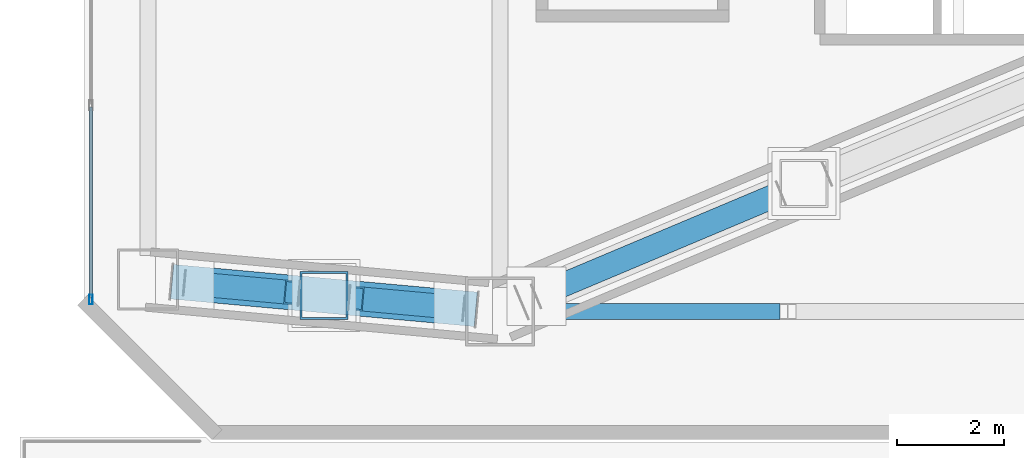
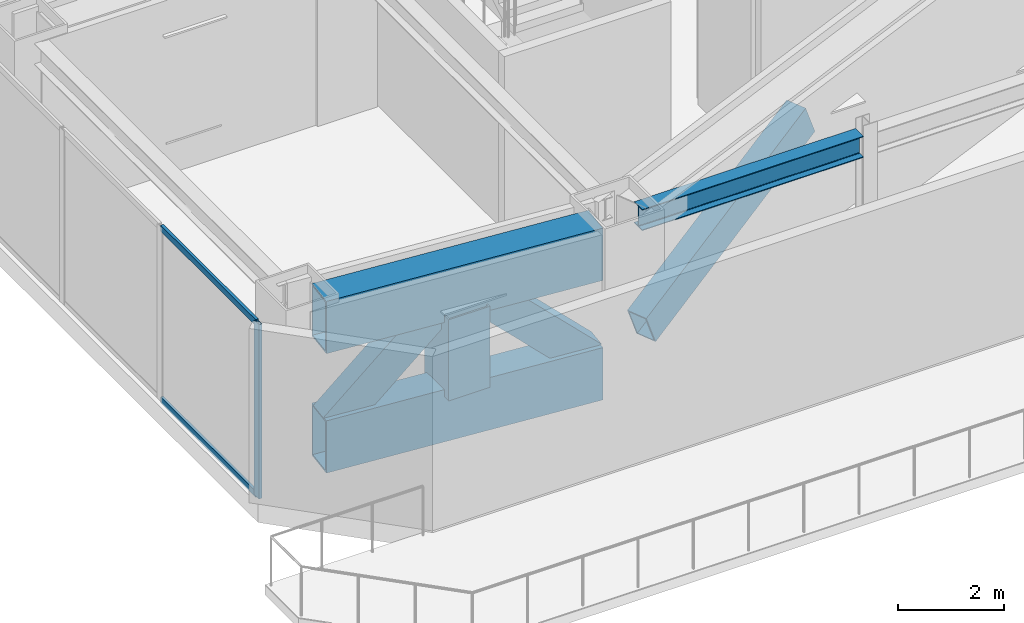
# One storey, part 4 of 39: 7 members, 3 beams, 1 element without a shape of its own.
"""IFC4 building model written with IfcOpenShell, lengths in metres."""

from ifc_helpers import new_model, si_unit, direction, frame, origin, origin_2d, place, context, subcontext, project, spatial, hollow_rectangle, i_section, extrude, material, layer, layer_set, material_profile, profile_set, type_object, element, aggregate, save


model = new_model("IFC4")

# Units and contexts
model_context = context("Model", 3, precision=1e-05, world=origin(), true_north=direction((0.0, 1.0)))
body_context = subcontext(model_context, "Body", "Model", "MODEL_VIEW")
ifc_project = project(units=[si_unit("LENGTHUNIT", "METRE"), si_unit("AREAUNIT", "SQUARE_METRE"), si_unit("VOLUMEUNIT", "CUBIC_METRE"), si_unit("PLANEANGLEUNIT", "RADIAN"), si_unit("MASSUNIT", "GRAM", prefix="KILO")], contexts=[model_context])

# Site, building, storey
site_placement = place(None, origin())
site = spatial("IfcSite", under=ifc_project, at=site_placement, CompositionType="ELEMENT")
building_placement = place(site_placement, origin())
building = spatial("IfcBuilding", under=site, at=building_placement, Name="Haolan Belvedere Tower", CompositionType="ELEMENT")
storey_placement = place(building_placement, frame((0.0, 0.0, 19.800048828125)))
storey = spatial("IfcBuildingStorey", under=building, at=storey_placement, Name="L04", CompositionType="ELEMENT", Elevation=19.800048828125)

# Beams
ifc_material_1 = material(Name="Steel Q420GJC", Category="steel")
ifc_material_profile_1 = material_profile(ifc_material_1, hollow_rectangle(XDim=0.64990234375, YDim=1.199951171875, WallThickness=0.0400390625, at=origin_2d()), Name="Steel Q420GJC")
ifc_profile_set_1 = profile_set([ifc_material_profile_1], Name="Steel Q420GJC")
beam_type_1 = type_object("IfcBeamType", Name="BM-BOX1200x650x40", PredefinedType="BEAM", material=ifc_profile_set_1)
for number, where, z_axis, x_axis, name in (
    (1, (6.4482421875, 17.359375, 3.33984375), (0.995892507606, -0.090543433189, 0.0), (0.090543433189, 0.995892507606, 0.0), "L04 transfer truss TT-T1-S top chord"),
    (2, (6.4482421875, 17.359375, 0.599853515625), (0.995892507606, -0.090543433189, 0.0), (0.090543433189, 0.995892507606, 0.0), "L04 transfer truss TT-T1-S bottom chord"),
):
    element("IfcBeam", number, at=place(storey_placement, frame(where, z_axis=z_axis, x_axis=x_axis)), inside=storey, type_object=beam_type_1, Name=name, PredefinedType="BEAM", context=body_context, shape_type="SweptSolid", body=[
        extrude(hollow_rectangle(XDim=0.64990234375, YDim=1.199951171875, WallThickness=0.0400390625, at=origin_2d()), origin(), (0.0, 0.0, 1.0), 5.72705078125),
    ])
ifc_material_2 = material(Name="Steel Q355B", Category="steel")
ifc_material_profile_2 = material_profile(ifc_material_2, i_section(OverallWidth=0.300048828125, OverallDepth=0.488037109375, WebThickness=0.010986328125, FlangeThickness=0.01806640625, FilletRadius=0.02587890625, at=origin_2d()), Name="Steel Q355B")
ifc_profile_set_2 = profile_set([ifc_material_profile_2], Name="Steel Q355B")
beam_type_2 = type_object("IfcBeamType", Name="BM-HM488x300x11x18", PredefinedType="SPANDREL", material=ifc_profile_set_2)
beam_placement = place(storey_placement, frame((17.85009765625, 16.800048828125, 3.716064453125), z_axis=(-1.0, 0.0, 0.0), x_axis=(0.0, -1.0, 0.0)))
element("IfcBeam", 3, at=beam_placement, inside=storey, type_object=beam_type_2, Name="L04 spandrel girder PC-CS4-W-MC-T2-SW", PredefinedType="SPANDREL", context=body_context, shape_type="SweptSolid", body=[
    extrude(i_section(OverallWidth=0.300048828125, OverallDepth=0.488037109375, WebThickness=0.010986328125, FlangeThickness=0.01806640625, FilletRadius=0.02587890625, at=origin_2d()), origin(), (0.0, 0.0, 1.0), 4.800048828125),
])

# Curtain wall, members
ifc_material_3 = material(Name="Anodised champagne-silver aluminium 6063-T6 and Low-E glass", Category="aluminium")
ifc_layer = layer(ifc_material_3, 0.179931640625, Name="Anodised champagne-silver aluminium 6063-T6 and Low-E glass")
ifc_layer_set = layer_set([ifc_layer], Name="Anodised champagne-silver aluminium 6063-T6 and Low-E glass")
curtain_wall_type = type_object("IfcCurtainWallType", Name="CW-SYS-01", PredefinedType="NOTDEFINED", material=ifc_layer_set)
curtain_wall_placement = place(storey_placement, origin())
curtain_wall = element("IfcCurtainWall", 4, at=curtain_wall_placement, inside=storey, type_object=curtain_wall_type, Name="L04 CW-SYS-01 ribbon curtain wall 4.1", PredefinedType="NOTDEFINED")
ifc_material_4 = material(Name="Anodised aluminium 6063-T6", Category="aluminium")
ifc_material_profile_3 = material_profile(ifc_material_4, hollow_rectangle(XDim=0.06494140625, YDim=0.179931640625, WallThickness=0.00390625, at=origin_2d()), Name="Anodised aluminium 6063-T6")
ifc_profile_set_3 = profile_set([ifc_material_profile_3], Name="Anodised aluminium 6063-T6")
member_type_1 = type_object("IfcMemberType", Name="CW-SYS-01-MUL", PredefinedType="MULLION", material=ifc_profile_set_3)
member_1_placement = place(storey_placement, frame((4.929931640625, 17.0263671875, 0.0), z_axis=(0.0, 0.0, 1.0), x_axis=(1.0, 0.0, 0.0)))
member_1 = element("IfcMember", 5, at=member_1_placement, type_object=member_type_1, Name="CW-01 mullion 11", PredefinedType="MULLION", context=body_context, shape_type="SweptSolid", body=[
    extrude(hollow_rectangle(XDim=0.06494140625, YDim=0.179931640625, WallThickness=0.00390625, at=origin_2d()), origin(), (0.0, 0.0, 1.0), 4.0),
])
ifc_material_profile_4 = material_profile(ifc_material_4, hollow_rectangle(XDim=0.06005859375, YDim=0.139892578125, WallThickness=0.00390625, at=origin_2d()), Name="Anodised aluminium 6063-T6")
ifc_profile_set_4 = profile_set([ifc_material_profile_4], Name="Anodised aluminium 6063-T6")
member_type_2 = type_object("IfcMemberType", Name="CW-SYS-01-TRN", PredefinedType="USERDEFINED", material=ifc_profile_set_4)
member_2_placement = place(storey_placement, frame((4.929931640625, 20.635009765625, 0.030029296875), z_axis=(0.0, -1.0, 0.0), x_axis=(1.0, 0.0, 0.0)))
member_2 = element("IfcMember", 6, at=member_2_placement, type_object=member_type_2, Name="CW-01 transom 10.1", ObjectType="TRANSOM", PredefinedType="USERDEFINED", context=body_context, shape_type="SweptSolid", body=[
    extrude(hollow_rectangle(XDim=0.06005859375, YDim=0.139892578125, WallThickness=0.00390625, at=origin_2d()), origin(), (0.0, 0.0, 1.0), 3.576171875),
])
member_3_placement = place(storey_placement, frame((4.929931640625, 20.635009765625, 3.969970703125), z_axis=(0.0, -1.0, 0.0), x_axis=(1.0, 0.0, 0.0)))
member_3 = element("IfcMember", 7, at=member_3_placement, type_object=member_type_2, Name="CW-01 transom 10.2", ObjectType="TRANSOM", PredefinedType="USERDEFINED", context=body_context, shape_type="SweptSolid", body=[
    extrude(hollow_rectangle(XDim=0.06005859375, YDim=0.139892578125, WallThickness=0.00390625, at=origin_2d()), origin(), (0.0, 0.0, 1.0), 3.576171875),
])
aggregate(curtain_wall, [member_1, member_2, member_3])

# Members
ifc_material_5 = material(Name="Steel Q390GJC", Category="steel")
ifc_material_profile_5 = material_profile(ifc_material_5, hollow_rectangle(XDim=0.449951171875, YDim=0.75, WallThickness=0.028076171875, at=origin_2d()), Name="Steel Q390GJC")
ifc_profile_set_5 = profile_set([ifc_material_profile_5], Name="Steel Q390GJC")
member_type_3 = type_object("IfcMemberType", Name="MEM-BOX750x450x28", PredefinedType="BRACE", material=ifc_profile_set_5)
member_4_placement = place(storey_placement, frame((13.286865234375, 17.089111328125, 0.93994140625), z_axis=(0.851127663776, 0.358371935346, 0.383602992573), x_axis=(-0.388059200809, 0.921634448503, 0.0)))
element("IfcMember", 8, at=member_4_placement, inside=storey, type_object=member_type_3, Name="L04 transfer truss TT-T2-S web diagonal 1", PredefinedType="BRACE", context=body_context, shape_type="SweptSolid", body=[
    extrude(hollow_rectangle(XDim=0.449951171875, YDim=0.75, WallThickness=0.028076171875, at=origin_2d()), origin(), (0.0, 0.0, 1.0), 5.370361328125),
])
member_5_placement = place(storey_placement, frame((6.689697265625, 17.33740234375, 0.93994140625), z_axis=(0.717656372419, -0.065241488402, 0.693334608481), x_axis=(0.090535746043, 0.995893206468, 0.0)))
element("IfcMember", 9, at=member_5_placement, inside=storey, type_object=member_type_3, Name="L04 transfer truss TT-T1-S web diagonal 1", PredefinedType="BRACE", context=body_context, shape_type="SweptSolid", body=[
    extrude(hollow_rectangle(XDim=0.449951171875, YDim=0.75, WallThickness=0.028076171875, at=origin_2d()), origin(), (0.0, 0.0, 1.0), 2.97119140625),
])
member_6_placement = place(storey_placement, frame((11.91015625, 16.86279296875, 0.93994140625), z_axis=(-0.717620364915, 0.065163511895, 0.693379209796), x_axis=(-0.090432923515, -0.995902548618, 0.0)))
element("IfcMember", 10, at=member_6_placement, inside=storey, type_object=member_type_3, Name="L04 transfer truss TT-T1-S web diagonal 2", PredefinedType="BRACE", context=body_context, shape_type="SweptSolid", body=[
    extrude(hollow_rectangle(XDim=0.449951171875, YDim=0.75, WallThickness=0.028076171875, at=origin_2d()), origin(), (0.0, 0.0, 1.0), 2.970947265625),
])
ifc_material_profile_6 = material_profile(ifc_material_5, hollow_rectangle(XDim=0.89990234375, YDim=0.89990234375, WallThickness=0.033935546875, at=origin_2d()), Name="Steel Q390GJC")
ifc_profile_set_6 = profile_set([ifc_material_profile_6], Name="Steel Q390GJC")
member_type_4 = type_object("IfcMemberType", Name="MEM-BOX900x900x34", PredefinedType="POST", material=ifc_profile_set_6)
member_7_placement = place(storey_placement, frame((9.300048828125, 17.10009765625, 1.0400390625), z_axis=(0.0, 0.0, 1.0), x_axis=(1.0, 0.0, 0.0)))
element("IfcMember", 11, at=member_7_placement, inside=storey, type_object=member_type_4, Name="L04 transfer truss TT-T1-S web post", PredefinedType="POST", context=body_context, shape_type="SweptSolid", body=[
    extrude(hollow_rectangle(XDim=0.89990234375, YDim=0.89990234375, WallThickness=0.033935546875, at=origin_2d()), origin(), (0.0, 0.0, 1.0), 1.85986328125),
])

save(model, "model.ifc")
